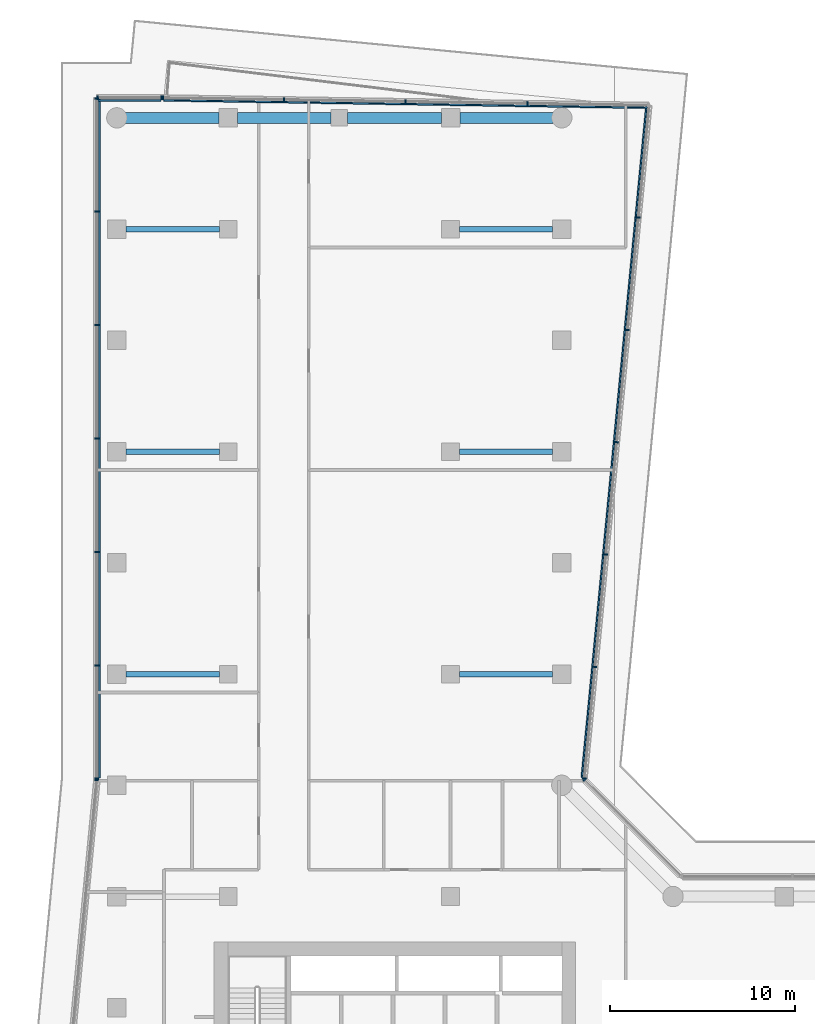
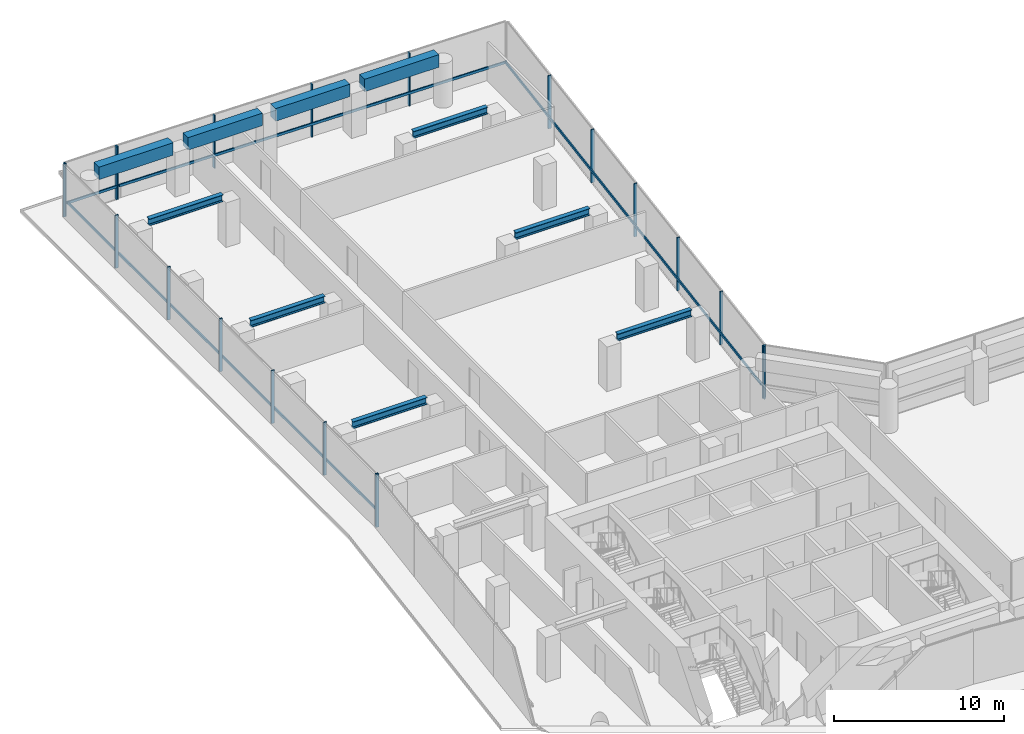
# One storey, part 5 of 12: 25 members, 10 beams, 6 elements without a shape of their own.
"""IFC4 building model written with IfcOpenShell, lengths in metres."""

from ifc_helpers import new_model, si_unit, direction, frame, origin, origin_2d, place, context, subcontext, project, spatial, rectangle, i_section, extrude, material, layer, layer_set, material_profile, profile_set, type_object, element, aggregate, save


model = new_model("IFC4")

# Units and contexts
model_context = context("Model", 3, precision=1e-05, world=origin(), true_north=direction((0.0, 1.0)))
body_context = subcontext(model_context, "Body", "Model", "MODEL_VIEW")
ifc_project = project(units=[si_unit("LENGTHUNIT", "METRE"), si_unit("AREAUNIT", "SQUARE_METRE"), si_unit("VOLUMEUNIT", "CUBIC_METRE"), si_unit("PLANEANGLEUNIT", "RADIAN"), si_unit("MASSUNIT", "GRAM", prefix="KILO")], contexts=[model_context])

# Site, building, storey
site_placement = place(None, origin())
site = spatial("IfcSite", under=ifc_project, at=site_placement, CompositionType="ELEMENT")
building_placement = place(site_placement, origin())
building = spatial("IfcBuilding", under=site, at=building_placement, Name="Welwitschia Terrace Campus", CompositionType="ELEMENT")
storey_placement = place(building_placement, frame((0.0, 0.0, 134.0)))
storey = spatial("IfcBuildingStorey", under=building, at=storey_placement, Name="L30", CompositionType="ELEMENT", Elevation=134.0)

# Curtain wall, member
ifc_material_1 = material(Name="Bronze anodised aluminium", Category="aluminium")
ifc_layer = layer(ifc_material_1, 0.199951171875)
ifc_layer_set = layer_set([ifc_layer], Name="Bronze anodised aluminium")
curtain_wall_type = type_object("IfcCurtainWallType", Name="Curtain wall CW6 plant floor 6000", PredefinedType="NOTDEFINED", material=ifc_layer_set)
curtain_wall_1_placement = place(storey_placement, origin())
curtain_wall_1 = element("IfcCurtainWall", 1, at=curtain_wall_1_placement, inside=storey, type_object=curtain_wall_type, Name="CW L30.0.0", PredefinedType="NOTDEFINED")
ifc_material_2 = material(Name="Bronze anodised aluminium", Category="aluminium")
ifc_material_profile_1 = material_profile(ifc_material_2, rectangle(XDim=0.199951171875, YDim=0.080078125, at=origin_2d()))
ifc_profile_set_1 = profile_set([ifc_material_profile_1], Name="Bronze anodised aluminium")
member_type_1 = type_object("IfcMemberType", Name="Mullion 80x200", PredefinedType="MULLION", material=ifc_profile_set_1)
member_1_placement = place(storey_placement, frame((-1.08984375, 34.281982421875, 0.0), z_axis=(0.0, 0.0, 1.0), x_axis=(0.995396198367, -0.09584575252, 0.0)))
member_1 = element("IfcMember", 2, at=member_1_placement, type_object=member_type_1, Name="Mullion L30.0.0.0", PredefinedType="MULLION", context=body_context, shape_type="SweptSolid", body=[
    extrude(rectangle(XDim=0.199951171875, YDim=0.080078125, at=origin_2d()), origin(), (0.0, 0.0, 1.0), 3.800048828125),
])
aggregate(curtain_wall_1, [member_1])

curtain_wall_2_placement = place(storey_placement, origin())
curtain_wall_2 = element("IfcCurtainWall", 3, at=curtain_wall_2_placement, inside=storey, type_object=curtain_wall_type, Name="CW L30.9.0", PredefinedType="NOTDEFINED")
member_2_placement = place(storey_placement, frame((25.23583984375, 34.2998046875, 0.0), z_axis=(0.0, 0.0, 1.0), x_axis=(-0.707106781187, -0.707106781187, 0.0)))
member_2 = element("IfcMember", 4, at=member_2_placement, type_object=member_type_1, Name="Mullion L30.9.0.1", PredefinedType="MULLION", context=body_context, shape_type="SweptSolid", body=[
    extrude(rectangle(XDim=0.199951171875, YDim=0.080078125, at=origin_2d()), origin(), (0.0, 0.0, 1.0), 3.800048828125),
])
aggregate(curtain_wall_2, [member_2])

# Curtain wall, members
curtain_wall_3_placement = place(storey_placement, origin())
curtain_wall_3 = element("IfcCurtainWall", 5, at=curtain_wall_3_placement, inside=storey, type_object=curtain_wall_type, Name="CW L30.10.0", PredefinedType="NOTDEFINED")
member_3_placement = place(storey_placement, frame((25.21142578125, 34.367919921875, 0.0), z_axis=(0.0, 0.0, 1.0), x_axis=(-0.995396198367, 0.09584575252, 0.0)))
member_3 = element("IfcMember", 6, at=member_3_placement, type_object=member_type_1, Name="Mullion L30.10.0.0", PredefinedType="MULLION", context=body_context, shape_type="SweptSolid", body=[
    extrude(rectangle(XDim=0.199951171875, YDim=0.080078125, at=origin_2d()), origin(), (0.0, 0.0, 1.0), 3.800048828125),
])
member_4_placement = place(storey_placement, frame((25.791015625, 40.386962890625, 0.0), z_axis=(0.0, 0.0, 1.0), x_axis=(-0.995396198367, 0.09584575252, 0.0)))
member_4 = element("IfcMember", 7, at=member_4_placement, type_object=member_type_1, Name="Mullion L30.10.0.1", PredefinedType="MULLION", context=body_context, shape_type="SweptSolid", body=[
    extrude(rectangle(XDim=0.199951171875, YDim=0.080078125, at=origin_2d()), origin(), (0.0, 0.0, 1.0), 3.800048828125),
])
member_5_placement = place(storey_placement, frame((26.37451171875, 46.44580078125, 0.0), z_axis=(0.0, 0.0, 1.0), x_axis=(-0.995396198367, 0.09584575252, 0.0)))
member_5 = element("IfcMember", 8, at=member_5_placement, type_object=member_type_1, Name="Mullion L30.10.0.2", PredefinedType="MULLION", context=body_context, shape_type="SweptSolid", body=[
    extrude(rectangle(XDim=0.199951171875, YDim=0.080078125, at=origin_2d()), origin(), (0.0, 0.0, 1.0), 3.800048828125),
])
member_6_placement = place(storey_placement, frame((26.957763671875, 52.50439453125, 0.0), z_axis=(0.0, 0.0, 1.0), x_axis=(-0.995396198367, 0.09584575252, 0.0)))
member_6 = element("IfcMember", 9, at=member_6_placement, type_object=member_type_1, Name="Mullion L30.10.0.3", PredefinedType="MULLION", context=body_context, shape_type="SweptSolid", body=[
    extrude(rectangle(XDim=0.199951171875, YDim=0.080078125, at=origin_2d()), origin(), (0.0, 0.0, 1.0), 3.800048828125),
])
member_7_placement = place(storey_placement, frame((27.541259765625, 58.563232421875, 0.0), z_axis=(0.0, 0.0, 1.0), x_axis=(-0.995396198367, 0.09584575252, 0.0)))
member_7 = element("IfcMember", 10, at=member_7_placement, type_object=member_type_1, Name="Mullion L30.10.0.4", PredefinedType="MULLION", context=body_context, shape_type="SweptSolid", body=[
    extrude(rectangle(XDim=0.199951171875, YDim=0.080078125, at=origin_2d()), origin(), (0.0, 0.0, 1.0), 3.800048828125),
])
member_8_placement = place(storey_placement, frame((28.124755859375, 64.6220703125, 0.0), z_axis=(0.0, 0.0, 1.0), x_axis=(-0.995396198367, 0.09584575252, 0.0)))
member_8 = element("IfcMember", 11, at=member_8_placement, type_object=member_type_1, Name="Mullion L30.10.0.5", PredefinedType="MULLION", context=body_context, shape_type="SweptSolid", body=[
    extrude(rectangle(XDim=0.199951171875, YDim=0.080078125, at=origin_2d()), origin(), (0.0, 0.0, 1.0), 3.800048828125),
])

curtain_wall_4_placement = place(storey_placement, origin())
curtain_wall_4 = element("IfcCurtainWall", 12, at=curtain_wall_4_placement, inside=storey, type_object=curtain_wall_type, Name="CW L30.11.0", PredefinedType="NOTDEFINED")
member_9_placement = place(storey_placement, frame((22.14453125, 70.781982421875, 0.0), z_axis=(0.0, 0.0, 1.0), x_axis=(-0.015432786585, -0.999880907458, 0.0)))
member_9 = element("IfcMember", 13, at=member_9_placement, type_object=member_type_1, Name="Mullion L30.11.0.1", PredefinedType="MULLION", context=body_context, shape_type="SweptSolid", body=[
    extrude(rectangle(XDim=0.199951171875, YDim=0.080078125, at=origin_2d()), origin(), (0.0, 0.0, 1.0), 3.800048828125),
])
member_10_placement = place(storey_placement, frame((15.5810546875, 70.88330078125, 0.0), z_axis=(0.0, 0.0, 1.0), x_axis=(-0.015432786585, -0.999880907458, 0.0)))
member_10 = element("IfcMember", 14, at=member_10_placement, type_object=member_type_1, Name="Mullion L30.11.0.2", PredefinedType="MULLION", context=body_context, shape_type="SweptSolid", body=[
    extrude(rectangle(XDim=0.199951171875, YDim=0.080078125, at=origin_2d()), origin(), (0.0, 0.0, 1.0), 3.800048828125),
])
member_11_placement = place(storey_placement, frame((9.017578125, 70.984619140625, 0.0), z_axis=(0.0, 0.0, 1.0), x_axis=(-0.015432786585, -0.999880907458, 0.0)))
member_11 = element("IfcMember", 15, at=member_11_placement, type_object=member_type_1, Name="Mullion L30.11.0.3", PredefinedType="MULLION", context=body_context, shape_type="SweptSolid", body=[
    extrude(rectangle(XDim=0.199951171875, YDim=0.080078125, at=origin_2d()), origin(), (0.0, 0.0, 1.0), 3.800048828125),
])
member_12_placement = place(storey_placement, frame((2.493896484375, 71.08544921875, 0.0), z_axis=(0.0, 0.0, 1.0), x_axis=(-0.015432786585, -0.999880907458, 0.0)))
member_12 = element("IfcMember", 16, at=member_12_placement, type_object=member_type_1, Name="Mullion L30.11.0.4", PredefinedType="MULLION", context=body_context, shape_type="SweptSolid", body=[
    extrude(rectangle(XDim=0.199951171875, YDim=0.080078125, at=origin_2d()), origin(), (0.0, 0.0, 1.0), 3.800048828125),
])

curtain_wall_5_placement = place(storey_placement, origin())
curtain_wall_5 = element("IfcCurtainWall", 17, at=curtain_wall_5_placement, inside=storey, type_object=curtain_wall_type, Name="CW L30.12.0", PredefinedType="NOTDEFINED")
member_13_placement = place(storey_placement, frame((2.4140625, 71.0859375, 0.0), z_axis=(0.0, 0.0, 1.0), x_axis=(0.0, -1.0, 0.0)))
member_13 = element("IfcMember", 18, at=member_13_placement, type_object=member_type_1, Name="Mullion L30.12.0.0", PredefinedType="MULLION", context=body_context, shape_type="SweptSolid", body=[
    extrude(rectangle(XDim=0.199951171875, YDim=0.080078125, at=origin_2d()), origin(), (0.0, 0.0, 1.0), 3.800048828125),
])
member_14_placement = place(storey_placement, frame((-1.0458984375, 71.0859375, 0.0), z_axis=(0.0, 0.0, 1.0), x_axis=(0.0, -1.0, 0.0)))
member_14 = element("IfcMember", 19, at=member_14_placement, type_object=member_type_1, Name="Mullion L30.12.0.1", PredefinedType="MULLION", context=body_context, shape_type="SweptSolid", body=[
    extrude(rectangle(XDim=0.199951171875, YDim=0.080078125, at=origin_2d()), origin(), (0.0, 0.0, 1.0), 3.800048828125),
])

curtain_wall_6_placement = place(storey_placement, origin())
curtain_wall_6 = element("IfcCurtainWall", 20, at=curtain_wall_6_placement, inside=storey, type_object=curtain_wall_type, Name="CW L30.13.0", PredefinedType="NOTDEFINED")
member_15_placement = place(storey_placement, frame((-1.0859375, 71.0458984375, 0.0), z_axis=(0.0, 0.0, 1.0), x_axis=(1.0, 0.0, 0.0)))
member_15 = element("IfcMember", 21, at=member_15_placement, type_object=member_type_1, Name="Mullion L30.13.0.0", PredefinedType="MULLION", context=body_context, shape_type="SweptSolid", body=[
    extrude(rectangle(XDim=0.199951171875, YDim=0.080078125, at=origin_2d()), origin(), (0.0, 0.0, 1.0), 3.800048828125),
])
member_16_placement = place(storey_placement, frame((-1.0859375, 64.958740234375, 0.0), z_axis=(0.0, 0.0, 1.0), x_axis=(1.0, 0.0, 0.0)))
member_16 = element("IfcMember", 22, at=member_16_placement, type_object=member_type_1, Name="Mullion L30.13.0.1", PredefinedType="MULLION", context=body_context, shape_type="SweptSolid", body=[
    extrude(rectangle(XDim=0.199951171875, YDim=0.080078125, at=origin_2d()), origin(), (0.0, 0.0, 1.0), 3.800048828125),
])
member_17_placement = place(storey_placement, frame((-1.0859375, 58.831298828125, 0.0), z_axis=(0.0, 0.0, 1.0), x_axis=(1.0, 0.0, 0.0)))
member_17 = element("IfcMember", 23, at=member_17_placement, type_object=member_type_1, Name="Mullion L30.13.0.2", PredefinedType="MULLION", context=body_context, shape_type="SweptSolid", body=[
    extrude(rectangle(XDim=0.199951171875, YDim=0.080078125, at=origin_2d()), origin(), (0.0, 0.0, 1.0), 3.800048828125),
])
member_18_placement = place(storey_placement, frame((-1.0859375, 52.703857421875, 0.0), z_axis=(0.0, 0.0, 1.0), x_axis=(1.0, 0.0, 0.0)))
member_18 = element("IfcMember", 24, at=member_18_placement, type_object=member_type_1, Name="Mullion L30.13.0.3", PredefinedType="MULLION", context=body_context, shape_type="SweptSolid", body=[
    extrude(rectangle(XDim=0.199951171875, YDim=0.080078125, at=origin_2d()), origin(), (0.0, 0.0, 1.0), 3.800048828125),
])
member_19_placement = place(storey_placement, frame((-1.0859375, 46.576416015625, 0.0), z_axis=(0.0, 0.0, 1.0), x_axis=(1.0, 0.0, 0.0)))
member_19 = element("IfcMember", 25, at=member_19_placement, type_object=member_type_1, Name="Mullion L30.13.0.4", PredefinedType="MULLION", context=body_context, shape_type="SweptSolid", body=[
    extrude(rectangle(XDim=0.199951171875, YDim=0.080078125, at=origin_2d()), origin(), (0.0, 0.0, 1.0), 3.800048828125),
])
member_20_placement = place(storey_placement, frame((-1.0859375, 40.448974609375, 0.0), z_axis=(0.0, 0.0, 1.0), x_axis=(1.0, 0.0, 0.0)))
member_20 = element("IfcMember", 26, at=member_20_placement, type_object=member_type_1, Name="Mullion L30.13.0.5", PredefinedType="MULLION", context=body_context, shape_type="SweptSolid", body=[
    extrude(rectangle(XDim=0.199951171875, YDim=0.080078125, at=origin_2d()), origin(), (0.0, 0.0, 1.0), 3.800048828125),
])
member_21_placement = place(storey_placement, frame((-1.0859375, 34.36181640625, 0.0), z_axis=(0.0, 0.0, 1.0), x_axis=(1.0, 0.0, 0.0)))
member_21 = element("IfcMember", 27, at=member_21_placement, type_object=member_type_1, Name="Mullion L30.13.0.6", PredefinedType="MULLION", context=body_context, shape_type="SweptSolid", body=[
    extrude(rectangle(XDim=0.199951171875, YDim=0.080078125, at=origin_2d()), origin(), (0.0, 0.0, 1.0), 3.800048828125),
])

# Beams
ifc_material_3 = material(Name="Steel S355", Category="steel")
ifc_material_profile_2 = material_profile(ifc_material_3, i_section(OverallWidth=0.300048828125, OverallDepth=0.5, WebThickness=0.014404296875, FlangeThickness=0.028076171875, FilletRadius=0.027099609375, at=origin_2d()))
ifc_profile_set_2 = profile_set([ifc_material_profile_2], Name="Steel S355")
beam_type_1 = type_object("IfcBeamType", Name="Primary beam HE 500 B", PredefinedType="BEAM", material=ifc_profile_set_2)
for number, where, z_axis, x_axis, name in (
    (28, (23.49951171875, 40.0, 3.35009765625), (-1.0, 0.0, 0.0), (0.0, -1.0, 0.0), "Primary beam PB3"),
    (29, (23.49951171875, 52.0, 3.35009765625), (-1.0, 0.0, 0.0), (0.0, -1.0, 0.0), "Primary beam PB3"),
    (30, (23.49951171875, 64.0, 3.35009765625), (-1.0, 0.0, 0.0), (0.0, -1.0, 0.0), "Primary beam PB3"),
    (31, (0.50048828125, 64.0, 3.35009765625), (1.0, 0.0, 0.0), (0.0, 1.0, 0.0), "Primary beam PB3"),
    (32, (0.50048828125, 52.0, 3.35009765625), (1.0, 0.0, 0.0), (0.0, 1.0, 0.0), "Primary beam PB3"),
    (33, (0.50048828125, 40.0, 3.35009765625), (1.0, 0.0, 0.0), (0.0, 1.0, 0.0), "Primary beam PB3"),
):
    element("IfcBeam", number, at=place(storey_placement, frame(where, z_axis=z_axis, x_axis=x_axis)), inside=storey, type_object=beam_type_1, Name=name, PredefinedType="BEAM", context=body_context, shape_type="SweptSolid", body=[
        extrude(i_section(OverallWidth=0.300048828125, OverallDepth=0.5, WebThickness=0.014404296875, FlangeThickness=0.028076171875, FilletRadius=0.027099609375, at=origin_2d()), origin(), (0.0, 0.0, 1.0), 5.02392578125),
    ])
ifc_material_4 = material(Name="Concrete C60/75", Category="concrete")
ifc_material_profile_3 = material_profile(ifc_material_4, rectangle(XDim=0.60009765625, YDim=0.89990234375, at=origin_2d()))
ifc_profile_set_3 = profile_set([ifc_material_profile_3], Name="Concrete C60/75")
beam_type_2 = type_object("IfcBeamType", Name="Ring spandrel 600x900", PredefinedType="SPANDREL", material=ifc_profile_set_3)
beam_1_placement = place(storey_placement, frame((23.53857421875, 70.0, 3.35009765625), z_axis=(-1.0, 0.0, 0.0), x_axis=(0.0, -1.0, 0.0)))
element("IfcBeam", 34, at=beam_1_placement, inside=storey, type_object=beam_type_2, Name="Spandrel SP2", PredefinedType="SPANDREL", context=body_context, shape_type="SweptSolid", body=[
    extrude(rectangle(XDim=0.60009765625, YDim=0.89990234375, at=origin_2d()), origin(), (0.0, 0.0, 1.0), 5.0380859375),
])
for number, where, z_axis, x_axis, name in (
    (35, (17.49951171875, 70.0, 3.35009765625), (-1.0, 0.0, 0.0), (0.0, -1.0, 0.0), "Spandrel SP2"),
    (36, (11.549560546875, 70.0, 3.35009765625), (-1.0, 0.0, 0.0), (0.0, -1.0, 0.0), "Spandrel SP2"),
):
    element("IfcBeam", number, at=place(storey_placement, frame(where, z_axis=z_axis, x_axis=x_axis)), inside=storey, type_object=beam_type_2, Name=name, PredefinedType="SPANDREL", context=body_context, shape_type="SweptSolid", body=[
        extrude(rectangle(XDim=0.60009765625, YDim=0.89990234375, at=origin_2d()), origin(), (0.0, 0.0, 1.0), 5.049072265625),
    ])
beam_2_placement = place(storey_placement, frame((5.49951171875, 70.0, 3.35009765625), z_axis=(-1.0, 0.0, 0.0), x_axis=(0.0, -1.0, 0.0)))
element("IfcBeam", 37, at=beam_2_placement, inside=storey, type_object=beam_type_2, Name="Spandrel SP2", PredefinedType="SPANDREL", context=body_context, shape_type="SweptSolid", body=[
    extrude(rectangle(XDim=0.60009765625, YDim=0.89990234375, at=origin_2d()), origin(), (0.0, 0.0, 1.0), 5.0380859375),
])

# Member
ifc_material_5 = material(Name="Bronze anodised aluminium", Category="aluminium")
ifc_material_profile_4 = material_profile(ifc_material_5, rectangle(XDim=0.080078125, YDim=0.179931640625, at=origin_2d()))
ifc_profile_set_4 = profile_set([ifc_material_profile_4], Name="Bronze anodised aluminium")
member_type_2 = type_object("IfcMemberType", Name="Transom 80x180", PredefinedType="USERDEFINED", material=ifc_profile_set_4)
member_22_placement = place(storey_placement, frame((25.075927734375, 34.421142578125, 1.0), z_axis=(0.095848022312, 0.995395979808, 0.0), x_axis=(-0.995395979808, 0.095848022312, 0.0)))
member_22 = element("IfcMember", 38, at=member_22_placement, type_object=member_type_2, Name="Transom L30.10.0", ObjectType="TRANSOM", PredefinedType="USERDEFINED", context=body_context, shape_type="SweptSolid", body=[
    extrude(rectangle(XDim=0.080078125, YDim=0.179931640625, at=origin_2d()), origin(), (0.0, 0.0, 1.0), 36.36083984375),
])

aggregate(curtain_wall_3, [member_3, member_4, member_5, member_6, member_7, member_8, member_22])

member_23_placement = place(storey_placement, frame((28.6259765625, 70.5419921875, 1.0), z_axis=(-0.999880861773, 0.015435746168, 0.0), x_axis=(-0.015435746168, -0.999880861773, 0.0)))
member_23 = element("IfcMember", 39, at=member_23_placement, type_object=member_type_2, Name="Transom L30.11.0", ObjectType="TRANSOM", PredefinedType="USERDEFINED", context=body_context, shape_type="SweptSolid", body=[
    extrude(rectangle(XDim=0.080078125, YDim=0.179931640625, at=origin_2d()), origin(), (0.0, 0.0, 1.0), 26.097412109375),
])

aggregate(curtain_wall_4, [member_9, member_10, member_11, member_12, member_23])

member_24_placement = place(storey_placement, frame((2.3740234375, 70.946044921875, 1.0), z_axis=(-1.0, 0.0, 0.0), x_axis=(0.0, -1.0, 0.0)))
member_24 = element("IfcMember", 40, at=member_24_placement, type_object=member_type_2, Name="Transom L30.12.0", ObjectType="TRANSOM", PredefinedType="USERDEFINED", context=body_context, shape_type="SweptSolid", body=[
    extrude(rectangle(XDim=0.080078125, YDim=0.179931640625, at=origin_2d()), origin(), (0.0, 0.0, 1.0), 3.380126953125),
])

aggregate(curtain_wall_5, [member_13, member_14, member_24])

member_25_placement = place(storey_placement, frame((-0.946044921875, 71.006103515625, 1.0), z_axis=(0.0, -1.0, 0.0), x_axis=(1.0, 0.0, 0.0)))
member_25 = element("IfcMember", 41, at=member_25_placement, type_object=member_type_2, Name="Transom L30.13.0", ObjectType="TRANSOM", PredefinedType="USERDEFINED", context=body_context, shape_type="SweptSolid", body=[
    extrude(rectangle(XDim=0.080078125, YDim=0.179931640625, at=origin_2d()), origin(), (0.0, 0.0, 1.0), 36.6044921875),
])

aggregate(curtain_wall_6, [member_15, member_16, member_17, member_18, member_19, member_20, member_21, member_25])

save(model, "model.ifc")
